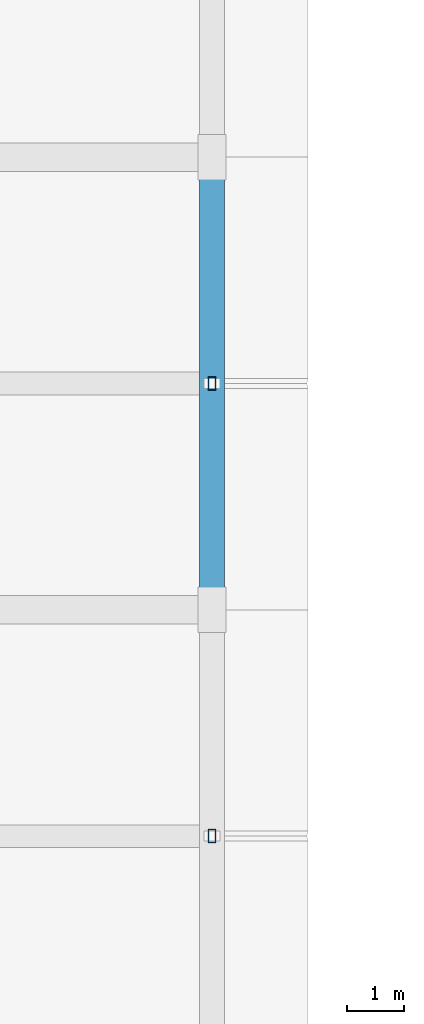
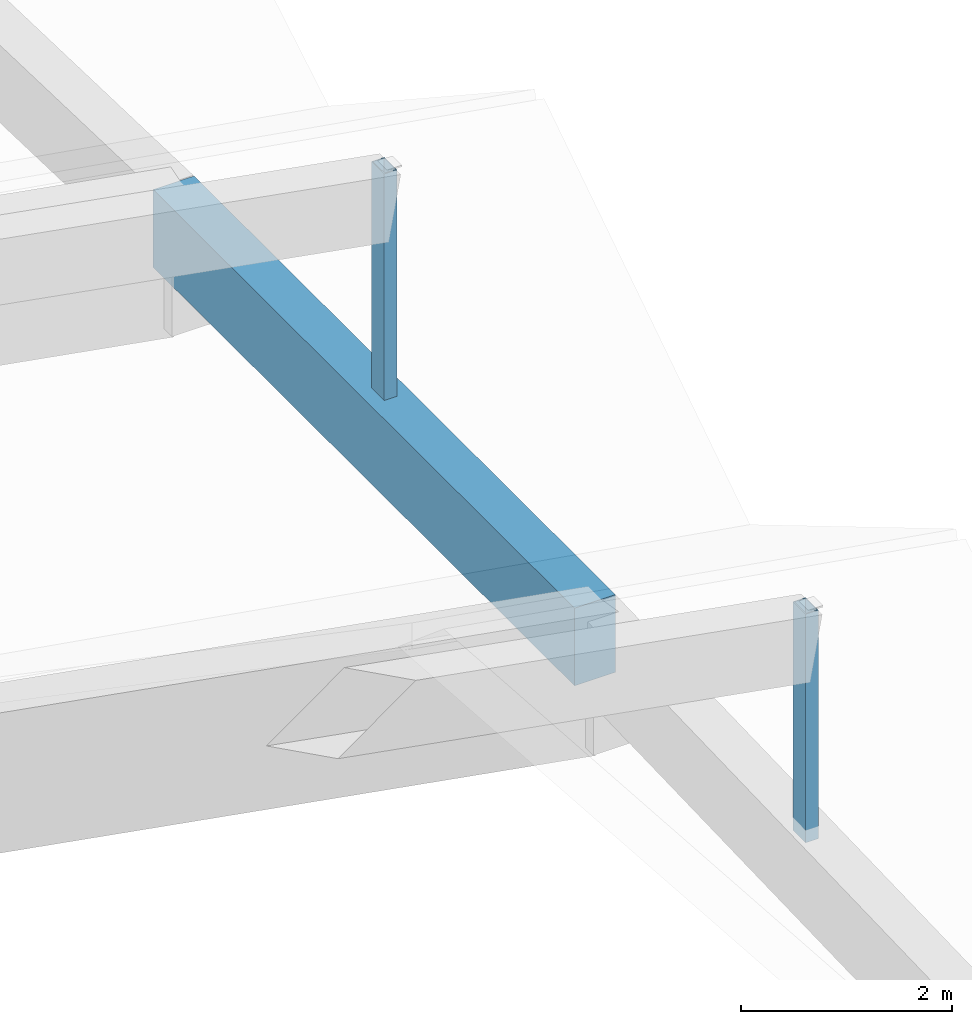
# One storey, part 27 of 109: 2 members, 1 beam.
"""IFC4 building model written with IfcOpenShell, lengths in metres."""

from ifc_helpers import new_model, si_unit, direction, frame, origin, origin_2d, place, context, subcontext, project, spatial, rectangle, hollow_rectangle, extrude, material, material_profile, profile_set, type_object, element, save


model = new_model("IFC4")

# Units and contexts
model_context = context("Model", 3, precision=1e-05, world=origin(), true_north=direction((0.0, 1.0)))
body_context = subcontext(model_context, "Body", "Model", "MODEL_VIEW")
ifc_project = project(units=[si_unit("LENGTHUNIT", "METRE"), si_unit("AREAUNIT", "SQUARE_METRE"), si_unit("VOLUMEUNIT", "CUBIC_METRE"), si_unit("PLANEANGLEUNIT", "RADIAN"), si_unit("MASSUNIT", "GRAM", prefix="KILO")], contexts=[model_context])

# Site, building, storey
site_placement = place(None, origin())
site = spatial("IfcSite", under=ifc_project, at=site_placement, CompositionType="ELEMENT")
building_placement = place(site_placement, origin())
building = spatial("IfcBuilding", under=site, at=building_placement, Name="Zavelmont Quarter", CompositionType="ELEMENT")
storey_placement = place(building_placement, frame((0.0, 0.0, 8.0)))
storey = spatial("IfcBuildingStorey", under=building, at=storey_placement, Name="L02", CompositionType="ELEMENT", Elevation=8.0)

# Beam
ifc_material_1 = material(Name="Concrete C40/50", Category="concrete")
ifc_material_profile_1 = material_profile(ifc_material_1, rectangle(XDim=0.449951171875, YDim=0.89990234375, at=origin_2d()), Name="RC450X900")
ifc_profile_set_1 = profile_set([ifc_material_profile_1], Name="Concrete C40/50")
beam_type = type_object("IfcBeamType", Name="BM06", PredefinedType="BEAM", material=ifc_profile_set_1)
beam_placement = place(storey_placement, frame((112.800048828125, 54.0, 1.0048828125), z_axis=(0.0, 1.0, 0.0), x_axis=(-1.0, 0.0, 0.0)))
element("IfcBeam", 1, at=beam_placement, inside=storey, type_object=beam_type, Name="L02 beam BM06 17/J to 17/K", PredefinedType="BEAM", context=body_context, shape_type="SweptSolid", body=[
    extrude(rectangle(XDim=0.449951171875, YDim=0.89990234375, at=origin_2d()), origin(), (0.0, 0.0, 1.0), 8.0),
])

# Members
ifc_material_2 = material(Name="Steel S355", Category="steel")
ifc_material_profile_2 = material_profile(ifc_material_2, hollow_rectangle(XDim=0.139892578125, YDim=0.239990234375, WallThickness=0.010009765625, at=origin_2d()), Name="RHS 240X140X10")
ifc_profile_set_2 = profile_set([ifc_material_profile_2], Name="Steel S355")
member_type = type_object("IfcMemberType", Name="CLM1", PredefinedType="CHORD", material=ifc_profile_set_2)
for number, where, z_axis, x_axis, name in (
    (2, (112.800048828125, 50.0, 1.179931640625), (0.0, 0.0, 1.0), (1.0, 0.0, 0.0), "L02 member CLM1 17/H to 17/H"),
    (3, (112.800048828125, 58.0, 1.429931640625), (0.0, 0.0, 1.0), (1.0, 0.0, 0.0), "L02 member CLM1 17/J to 17/J"),
):
    element("IfcMember", number, at=place(storey_placement, frame(where, z_axis=z_axis, x_axis=x_axis)), inside=storey, type_object=member_type, Name=name, PredefinedType="CHORD", context=body_context, shape_type="SweptSolid", body=[
        extrude(hollow_rectangle(XDim=0.139892578125, YDim=0.239990234375, WallThickness=0.010009765625, at=origin_2d()), origin(), (0.0, 0.0, 1.0), 2.650146484375),
    ])

save(model, "model.ifc")
